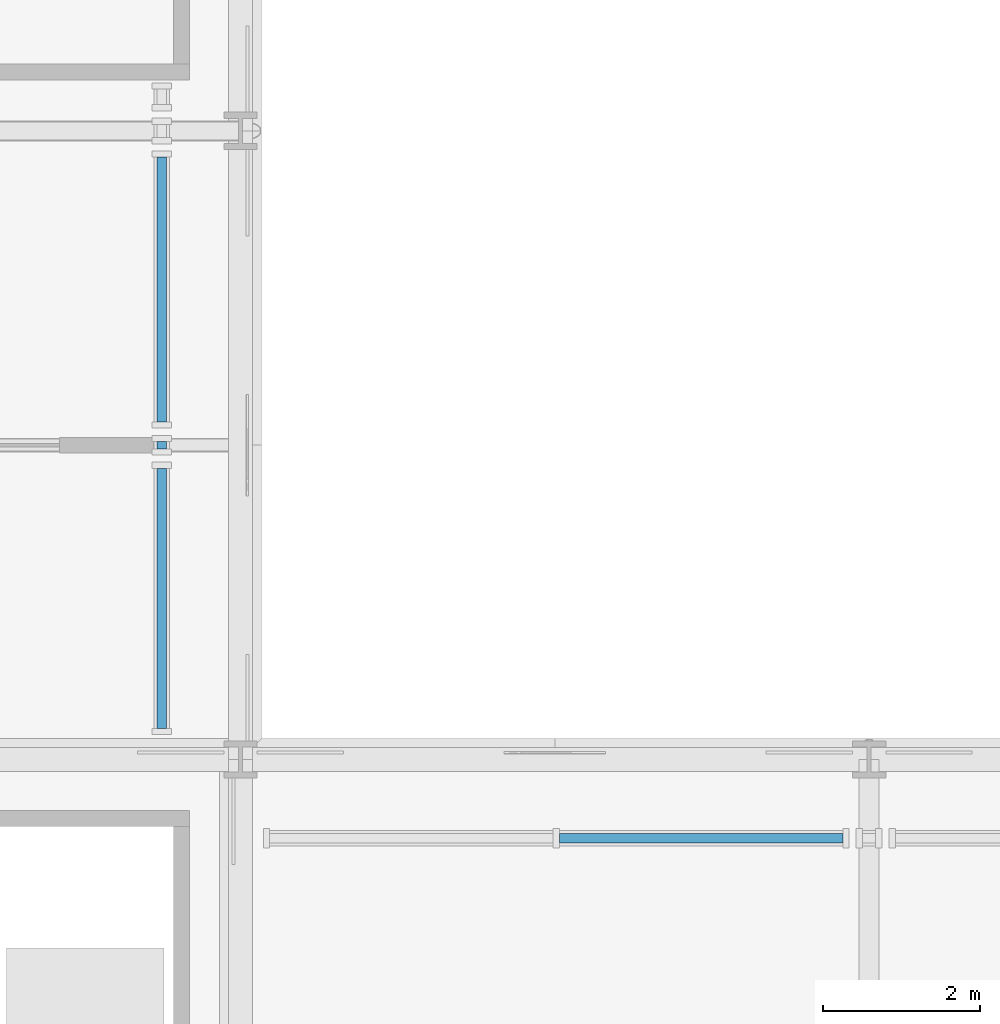
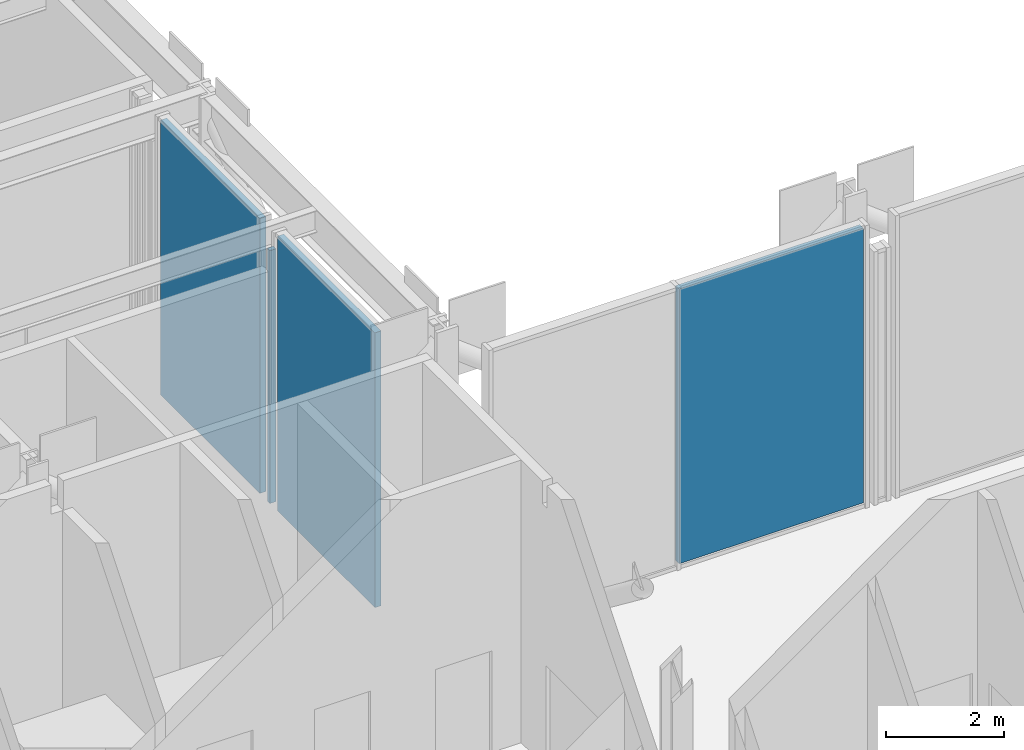
# One storey, part 12 of 23: 4 plates, 4 elements without a shape of their own.
"""IFC4 building model written with IfcOpenShell, lengths in metres."""

from ifc_helpers import new_model, si_unit, direction, frame, origin, origin_2d, place, context, subcontext, project, spatial, rectangle, extrude, material, layer, layer_set, type_object, element, aggregate, save


model = new_model("IFC4")

# Units and contexts
model_context = context("Model", 3, precision=1e-05, world=origin(), true_north=direction((0.0, 1.0)))
body_context = subcontext(model_context, "Body", "Model", "MODEL_VIEW")
ifc_project = project(units=[si_unit("LENGTHUNIT", "METRE"), si_unit("AREAUNIT", "SQUARE_METRE"), si_unit("VOLUMEUNIT", "CUBIC_METRE"), si_unit("PLANEANGLEUNIT", "RADIAN"), si_unit("MASSUNIT", "GRAM", prefix="KILO")], contexts=[model_context])

# Site, building, storey
site_placement = place(None, origin())
site = spatial("IfcSite", under=ifc_project, at=site_placement, CompositionType="ELEMENT")
building_placement = place(site_placement, origin())
building = spatial("IfcBuilding", under=site, at=building_placement, Name="Immortelle Media Tower", CompositionType="ELEMENT")
storey_placement = place(building_placement, frame((0.0, 0.0, 183.0)))
storey = spatial("IfcBuildingStorey", under=building, at=storey_placement, Name="L38", CompositionType="ELEMENT", Elevation=183.0)

# Curtain wall, plate
ifc_material_1 = material(Name="Aluminium curtain wall system", Category="aluminium")
curtain_wall_type = type_object("IfcCurtainWallType", Name="Plant louvre wall curtain wall", PredefinedType="NOTDEFINED", material=ifc_material_1)
curtain_wall_1_placement = place(storey_placement, origin())
curtain_wall_1 = element("IfcCurtainWall", 1, at=curtain_wall_1_placement, inside=storey, type_object=curtain_wall_type, Name="Plant louvre wall L38 N 21-6", PredefinedType="NOTDEFINED")
ifc_material_2 = material(Name="Pale aluminium louvre panel", Category="aluminium")
ifc_layer = layer(ifc_material_2, 0.1201171875)
ifc_layer_set = layer_set([ifc_layer], Name="Pale aluminium louvre panel")
plate_type = type_object("IfcPlateType", Name="Dust and storm rated louvre panel 120 mm", PredefinedType="CURTAIN_PANEL", material=ifc_layer_set)
plate_1_placement = place(storey_placement, frame((29.862548828125, 23.0, 0.080078125), z_axis=(0.0, 0.0, 1.0), x_axis=(-1.0, 0.0, 0.0)))
plate_1 = element("IfcPlate", 2, at=plate_1_placement, type_object=plate_type, Name="CW6 panel 1.1", PredefinedType="CURTAIN_PANEL", context=body_context, shape_type="SweptSolid", body=[
    extrude(rectangle(XDim=3.606689453125, YDim=0.1201171875, at=origin_2d()), origin(), (0.0, 0.0, 1.0), 5.689453125),
])
aggregate(curtain_wall_1, [plate_1])

curtain_wall_2_placement = place(storey_placement, origin())
curtain_wall_2 = element("IfcCurtainWall", 3, at=curtain_wall_2_placement, inside=storey, type_object=curtain_wall_type, Name="Plant louvre wall L38 E 22-2", PredefinedType="NOTDEFINED")
plate_2_placement = place(storey_placement, frame((23.0, 26.0498046875, 0.080078125), z_axis=(0.0, 0.0, 1.0), x_axis=(0.0, 1.0, 0.0)))
plate_2 = element("IfcPlate", 4, at=plate_2_placement, type_object=plate_type, Name="CW6 panel 1.1", PredefinedType="CURTAIN_PANEL", context=body_context, shape_type="SweptSolid", body=[
    extrude(rectangle(XDim=3.3076171875, YDim=0.1201171875, at=origin_2d()), origin(), (0.0, 0.0, 1.0), 5.689453125),
])
aggregate(curtain_wall_2, [plate_2])

curtain_wall_3_placement = place(storey_placement, origin())
curtain_wall_3 = element("IfcCurtainWall", 5, at=curtain_wall_3_placement, inside=storey, type_object=curtain_wall_type, Name="Plant louvre wall L38 E 22-3", PredefinedType="NOTDEFINED")
plate_3_placement = place(storey_placement, frame((23.0, 28.0, 0.080078125), z_axis=(0.0, 0.0, 1.0), x_axis=(0.0, 1.0, 0.0)))
plate_3 = element("IfcPlate", 6, at=plate_3_placement, type_object=plate_type, Name="CW6 panel 1.1", PredefinedType="CURTAIN_PANEL", context=body_context, shape_type="SweptSolid", body=[
    extrude(rectangle(XDim=0.093017578125, YDim=0.1201171875, at=origin_2d()), origin(), (0.0, 0.0, 1.0), 5.234619140625),
])
aggregate(curtain_wall_3, [plate_3])

curtain_wall_4_placement = place(storey_placement, origin())
curtain_wall_4 = element("IfcCurtainWall", 7, at=curtain_wall_4_placement, inside=storey, type_object=curtain_wall_type, Name="Plant louvre wall L38 E 22-4", PredefinedType="NOTDEFINED")
plate_4_placement = place(storey_placement, frame((23.0, 29.981201171875, 0.080078125), z_axis=(0.0, 0.0, 1.0), x_axis=(0.0, 1.0, 0.0)))
plate_4 = element("IfcPlate", 8, at=plate_4_placement, type_object=plate_type, Name="CW6 panel 1.1", PredefinedType="CURTAIN_PANEL", context=body_context, shape_type="SweptSolid", body=[
    extrude(rectangle(XDim=3.369384765625, YDim=0.1201171875, at=origin_2d()), origin(), (0.0, 0.0, 1.0), 5.689453125),
])
aggregate(curtain_wall_4, [plate_4])

save(model, "model.ifc")
